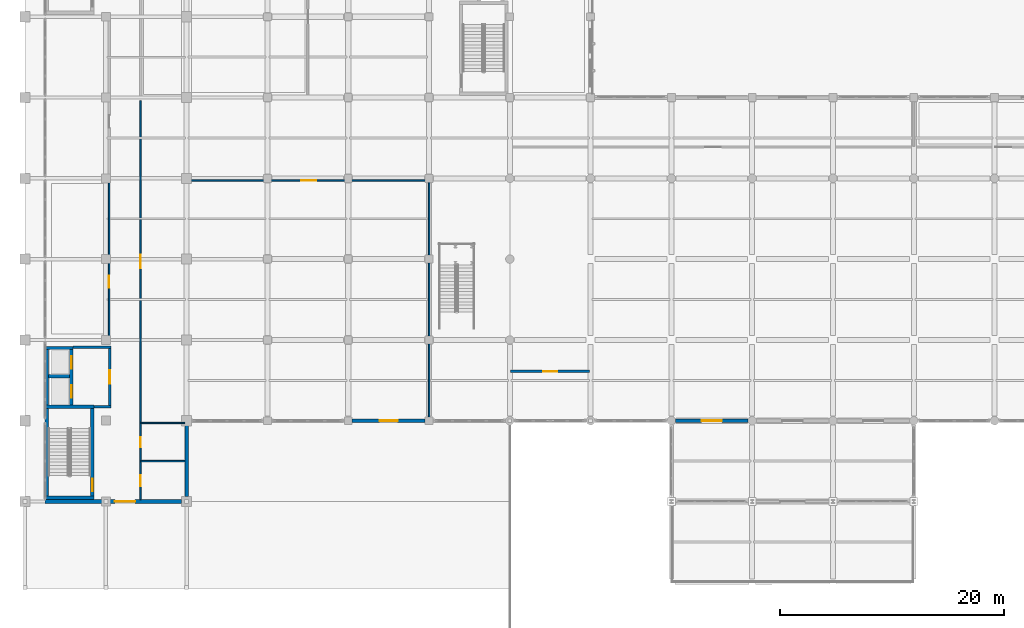
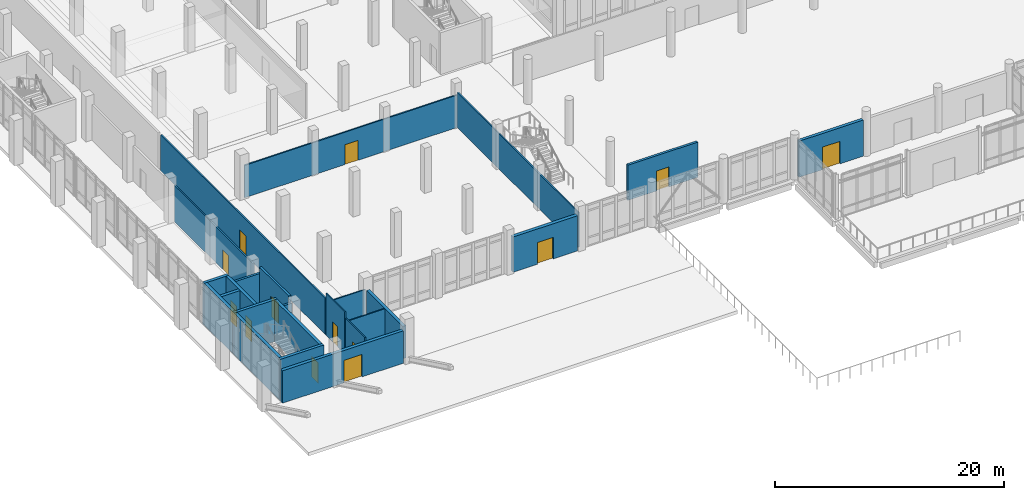
# One storey, part 35 of 59: 24 walls, 13 doors, 13 openings.
"""IFC4 building model written with IfcOpenShell, lengths in metres."""

import ifcopenshell
import ifcopenshell.guid

model = None  # the IFC model being written
_history = None  # IfcOwnerHistory: only IFC2X3 demands one
_inside = {}  # id of a spatial element -> (the spatial element, [elements in it])
_under = {}  # id of a project, library or spatial element -> (it, [spatial elements below it])
_declared = {}  # id of a project -> (the project, [libraries it declares])
_typed = {}  # id of a type object -> (the type object, [elements of that type])
_made_of = {}  # id of a material, layer set ... -> (it, [elements and type objects made of it])


def new_model(schema):
    """Start an empty IFC model of exactly this schema.

    Asked for "IFC4X3", IfcOpenShell would pick the latest addendum, in which some entities
    have other attributes; the version numbers below select the first issue.
    IFC2X3 requires an IfcOwnerHistory on every rooted entity: one is made here for all.
    """
    global model, _history
    if schema == "IFC4X3":
        model = ifcopenshell.file(schema_version=(4, 3, 0, 0))
    else:
        model = ifcopenshell.file(schema=schema)
    _inside.clear()
    _under.clear()
    _declared.clear()
    _typed.clear()
    _made_of.clear()
    _history = None
    if model.schema == "IFC2X3":
        org = make("IfcOrganization", Name="unknown")
        user = make(
            "IfcPersonAndOrganization",
            ThePerson=make("IfcPerson", FamilyName="unknown"),
            TheOrganization=org,
        )
        app = make(
            "IfcApplication",
            ApplicationDeveloper=org,
            Version="unknown",
            ApplicationFullName="unknown",
            ApplicationIdentifier="unknown",
        )
        _history = make(
            "IfcOwnerHistory",
            OwningUser=user,
            OwningApplication=app,
            ChangeAction="ADDED",
            CreationDate=0,
        )
    return model


def make(cls, **values):
    """One entity of the class cls with the attributes given. An attribute that is None is left unset."""
    return model.create_entity(
        cls, **{name: value for name, value in values.items() if value is not None}
    )


def rooted(cls, **values):
    """An entity with a GlobalId (a new one), such as an element, a storey or a relation."""
    return make(cls, GlobalId=ifcopenshell.guid.new(), OwnerHistory=_history, **values)


def si_unit(unit_type, name, prefix=None):
    """IfcSIUnit, for example si_unit("LENGTHUNIT", "METRE", prefix="MILLI")."""
    return make("IfcSIUnit", UnitType=unit_type, Prefix=prefix, Name=name)


def assignment(units):
    """IfcUnitAssignment: the units of a project."""
    return None if units is None else make("IfcUnitAssignment", Units=units)


def point(xyz):
    """IfcCartesianPoint."""
    return None if xyz is None else make("IfcCartesianPoint", Coordinates=xyz)


def direction(xyz):
    """IfcDirection."""
    return None if xyz is None else make("IfcDirection", DirectionRatios=xyz)


def frame(location, z_axis=None, x_axis=None):
    """IfcAxis2Placement3D, a coordinate frame: its origin and axes. An axis left out is left unset."""
    return make(
        "IfcAxis2Placement3D",
        Location=point(location),
        Axis=direction(z_axis),
        RefDirection=direction(x_axis),
    )


def frame_2d(location, x_axis=None):
    """IfcAxis2Placement2D, a coordinate frame in the plane: its origin and x axis."""
    return make(
        "IfcAxis2Placement2D", Location=point(location), RefDirection=direction(x_axis)
    )


def origin():
    """The frame at (0, 0, 0) with its axes left unset."""
    return frame((0.0, 0.0, 0.0))


def place(relative_to, where):
    """IfcLocalPlacement: puts the frame where relative to a parent placement (None: the world)."""
    return make(
        "IfcLocalPlacement", PlacementRelTo=relative_to, RelativePlacement=where
    )


def context(
    kind, dimensions, precision=None, world=None, true_north=None, identifier=None
):
    """IfcGeometricRepresentationContext, for example the 3D "Model" context."""
    return make(
        "IfcGeometricRepresentationContext",
        ContextIdentifier=identifier,
        ContextType=kind,
        CoordinateSpaceDimension=dimensions,
        Precision=precision,
        WorldCoordinateSystem=world,
        TrueNorth=true_north,
    )


def subcontext(parent, identifier, kind, view, scale=None):
    """IfcGeometricRepresentationSubContext, for example "Body" below "Model"."""
    return make(
        "IfcGeometricRepresentationSubContext",
        ContextIdentifier=identifier,
        ContextType=kind,
        ParentContext=parent,
        TargetScale=scale,
        TargetView=view,
    )


def project(units=None, contexts=None):
    """IfcProject with its units and contexts."""
    return rooted(
        "IfcProject",
        Name="project",
        RepresentationContexts=contexts,
        UnitsInContext=assignment(units),
    )


def spatial(cls, under=None, at=None, **own):
    """A site, building, storey or space (cls), placed at a placement, below another one or the project."""
    s = rooted(cls, ObjectPlacement=at, **own)
    if under is not None:
        _under.setdefault(under.id(), (under, []))[1].append(s)
    return s


def profile(cls, at=None, kind="AREA", **sizes):
    """A parametric profile (cls). Its sizes go by their IFC names, for example OverallWidth=200.0."""
    return make(cls, ProfileType=kind, Position=at, **sizes)


def rectangle(**sizes):
    """IfcRectangleProfileDef."""
    return profile("IfcRectangleProfileDef", **sizes)


def extrude(swept, where, along, depth):
    """IfcExtrudedAreaSolid: the profile swept, set in the frame where, extruded along a direction by depth."""
    return make(
        "IfcExtrudedAreaSolid",
        SweptArea=swept,
        Position=where,
        ExtrudedDirection=direction(along),
        Depth=depth,
    )


def shape(context_of_items, identifier, shape_type, items):
    """IfcShapeRepresentation: the items that make up one representation, for example the "Body"."""
    return make(
        "IfcShapeRepresentation",
        ContextOfItems=context_of_items,
        RepresentationIdentifier=identifier,
        RepresentationType=shape_type,
        Items=items,
    )


def material(Name=None, Category=None):
    """IfcMaterial."""
    return make("IfcMaterial", Name=Name, Category=Category)


def layer(
    of_material, thickness, ventilated=None, Name=None, Category=None, Priority=None
):
    """IfcMaterialLayer: one layer of a wall or slab, of a material (None: an air gap)."""
    return make(
        "IfcMaterialLayer",
        Material=of_material,
        LayerThickness=thickness,
        IsVentilated=ventilated,
        Name=Name,
        Category=Category,
        Priority=Priority,
    )


def layer_set(layers, Name=None):
    """IfcMaterialLayerSet."""
    return make("IfcMaterialLayerSet", MaterialLayers=layers, LayerSetName=Name)


def made_of(thing, what):
    """Note that an element or type object is made of a material, layer set ...; save() writes the relation."""
    if what is not None:
        _made_of.setdefault(what.id(), (what, []))[1].append(thing)
    return thing


def type_object(cls, material=None, **own):
    """A type object (cls), such as IfcWallType, which elements share."""
    return made_of(rooted(cls, **own), material)


def element(
    cls,
    number,
    at=None,
    inside=None,
    cuts=None,
    type_object=None,
    material=None,
    context=None,
    identifier="Body",
    shape_type=None,
    held_by="IfcProductDefinitionShape",
    body=None,
    shapes=None,
    **own,
):
    """One element of the class cls, such as IfcWall. Its Tag is "e" and its number.

    at: its placement. inside: the storey or other place that contains it. cuts: it is an
    opening in that element (IfcRelVoidsElement). A single representation is given by context,
    identifier, shape_type and body (its items); several are given by shapes. held_by: the class
    of the entity that holds the representations. save() writes the other relations.
    """
    e = rooted(cls, Tag="e%d" % number, ObjectPlacement=at, **own)
    if body is not None:
        shapes = [shape(context, identifier, shape_type, body)]
    if shapes is not None:
        e.Representation = make(held_by, Representations=shapes)
    if inside is not None:
        _inside.setdefault(inside.id(), (inside, []))[1].append(e)
    if cuts is not None:
        rooted(
            "IfcRelVoidsElement", RelatingBuildingElement=cuts, RelatedOpeningElement=e
        )
    if type_object is not None:
        _typed.setdefault(type_object.id(), (type_object, []))[1].append(e)
    return made_of(e, material)


def fill(opening, filler):
    """IfcRelFillsElement: the door or window that sits in an opening."""
    return rooted(
        "IfcRelFillsElement",
        RelatingOpeningElement=opening,
        RelatedBuildingElement=filler,
    )


def aggregate(whole, parts):
    """IfcRelAggregates: a whole, such as a stair, and the parts it consists of."""
    return rooted("IfcRelAggregates", RelatingObject=whole, RelatedObjects=parts)


def save(model, path):
    """Write the relations noted so far, then the file.

    IfcRelAggregates (storeys below a building ...), IfcRelContainedInSpatialStructure (elements
    in a storey), IfcRelDefinesByType, IfcRelAssociatesMaterial and IfcRelDeclares: one each for
    every whole, place, type object, material and project.
    """
    for whole, parts in _under.values():
        aggregate(whole, parts)
    for where, things in _inside.values():
        rooted(
            "IfcRelContainedInSpatialStructure",
            RelatedElements=things,
            RelatingStructure=where,
        )
    for kind, things in _typed.values():
        rooted("IfcRelDefinesByType", RelatedObjects=things, RelatingType=kind)
    for what, things in _made_of.values():
        rooted("IfcRelAssociatesMaterial", RelatedObjects=things, RelatingMaterial=what)
    for by, libraries in _declared.values():
        rooted("IfcRelDeclares", RelatingContext=by, RelatedDefinitions=libraries)
    model.write(path)


model = new_model("IFC4")

# Units and contexts
model_context = context("Model", 3, precision=1e-05, world=origin(), true_north=direction((0.0, 1.0)))
body_context = subcontext(model_context, "Body", "Model", "MODEL_VIEW")
ifc_project = project(units=[si_unit("LENGTHUNIT", "METRE"), si_unit("AREAUNIT", "SQUARE_METRE"), si_unit("VOLUMEUNIT", "CUBIC_METRE"), si_unit("PLANEANGLEUNIT", "RADIAN"), si_unit("MASSUNIT", "GRAM", prefix="KILO")], contexts=[model_context])

# Site, building, storey
site_placement = place(None, origin())
site = spatial("IfcSite", under=ifc_project, at=site_placement, CompositionType="ELEMENT")
building_placement = place(site_placement, origin())
building = spatial("IfcBuilding", under=site, at=building_placement, Name="Valkovuoma Quantum and Materials Research Institute", CompositionType="ELEMENT")
storey_placement = place(building_placement, origin())
storey = spatial("IfcBuildingStorey", under=building, at=storey_placement, Name="L00", CompositionType="ELEMENT", Elevation=0.0)

# Walls
ifc_material_1 = material(Name="Concrete C40/50", Category="concrete")
ifc_layer_1 = layer(ifc_material_1, 0.300048828125)
ifc_layer_set_1 = layer_set([ifc_layer_1], Name="Concrete C40/50")
wall_type_1 = type_object("IfcWallType", Name="Wall-W-COR300", PredefinedType="SHEAR", material=ifc_layer_set_1)
for number, where, z_axis, x_axis, name in (
    (1, (1.800048828125, 29.14990234375, 0.0), (0.0, 0.0, 1.0), (1.0, 0.0, 0.0), "L00 core wall 0012"),
    (2, (1.800048828125, 37.25, 0.0), (0.0, 0.0, 1.0), (1.0, 0.0, 0.0), "L00 core wall 0013"),
):
    element("IfcWall", number, at=place(storey_placement, frame(where, z_axis=z_axis, x_axis=x_axis)), inside=storey, type_object=wall_type_1, Name=name, PredefinedType="SHEAR", context=body_context, shape_type="SweptSolid", body=[
        extrude(rectangle(XDim=4.349853515625, YDim=0.300048828125, at=frame_2d((2.1748046875, 0.0))), origin(), (0.0, 0.0, 1.0), 4.449951171875),
    ])
wall_1_placement = place(storey_placement, frame((1.949951171875, 29.300048828125, 0.0), z_axis=(0.0, 0.0, 1.0), x_axis=(0.0, 1.0, 0.0)))
element("IfcWall", 3, at=wall_1_placement, inside=storey, type_object=wall_type_1, Name="L00 core wall 0014", PredefinedType="SHEAR", context=body_context, shape_type="SweptSolid", body=[
    extrude(rectangle(XDim=7.800048828125, YDim=0.300048828125, at=frame_2d((3.89990234375, 0.0))), origin(), (0.0, 0.0, 1.0), 4.449951171875),
])

# Wall, opening, door
wall_2_placement = place(storey_placement, frame((6.0, 29.300048828125, 0.0), z_axis=(0.0, 0.0, 1.0), x_axis=(0.0, 1.0, 0.0)))
wall_2 = element("IfcWall", 4, at=wall_2_placement, inside=storey, type_object=wall_type_1, Name="L00 core wall 0015", PredefinedType="SHEAR", context=body_context, shape_type="SweptSolid", body=[
    extrude(rectangle(XDim=7.800048828125, YDim=0.300048828125, at=frame_2d((3.89990234375, 0.0))), origin(), (0.0, 0.0, 1.0), 4.449951171875),
])
opening_1_placement = place(wall_2_placement, frame((0.39990234375, 0.0, 0.0)))
opening_1 = element("IfcOpeningElement", 5, at=opening_1_placement, cuts=wall_2, Name="Opening SD-003", PredefinedType="OPENING", context=body_context, shape_type="SweptSolid", body=[
    extrude(rectangle(XDim=1.14990234375, YDim=2.199951171875, at=frame_2d((0.574951171875, 1.10009765625))), frame((0.0, 0.16015625, 0.0), z_axis=(0.0, -1.0, 0.0), x_axis=(1.0, 0.0, 0.0)), (0.0, 0.0, 1.0), 0.320068359375),
])
ifc_material_2 = material(Name="Powder-coated steel and acoustic timber door assembly", Category="steel")
door_type_1 = type_object("IfcDoorType", Name="Door-DR-ST60", OperationType="NOTDEFINED", PredefinedType="DOOR", material=ifc_material_2)
door_1_placement = place(opening_1_placement, origin())
door_1 = element("IfcDoor", 6, at=door_1_placement, inside=storey, type_object=door_type_1, Name="L00 ST-1 fire door", OperationType="SINGLE_SWING_RIGHT", OverallHeight=2.199951171875, OverallWidth=1.14990234375, PredefinedType="DOOR", context=body_context, shape_type="SweptSolid", body=[
    extrude(rectangle(XDim=1.14990234375, YDim=2.199951171875, at=frame_2d((0.574951171875, 1.10009765625))), frame((0.0, 0.02490234375, 0.0), z_axis=(0.0, -1.0, 0.0), x_axis=(1.0, 0.0, 0.0)), (0.0, 0.0, 1.0), 0.050048828125),
])
fill(opening_1, door_1)

# Walls
wall_3_placement = place(storey_placement, frame((1.800048828125, 42.47998046875, 0.0), z_axis=(0.0, 0.0, 1.0), x_axis=(1.0, 0.0, 0.0)))
element("IfcWall", 7, at=wall_3_placement, inside=storey, type_object=wall_type_1, Name="L00 core wall 0016", PredefinedType="SHEAR", context=body_context, shape_type="SweptSolid", body=[
    extrude(rectangle(XDim=2.47998046875, YDim=0.300048828125, at=frame_2d((1.239990234375, 0.0))), origin(), (0.0, 0.0, 1.0), 4.449951171875),
])
wall_4_placement = place(storey_placement, frame((2.10009765625, 39.97509765625, 0.0), z_axis=(0.0, 0.0, 1.0), x_axis=(1.0, 0.0, 0.0)))
element("IfcWall", 8, at=wall_4_placement, inside=storey, type_object=wall_type_1, Name="L00 core wall 0017", PredefinedType="SHEAR", context=body_context, shape_type="SweptSolid", body=[
    extrude(rectangle(XDim=1.8798828125, YDim=0.300048828125, at=frame_2d((0.93994140625, 0.0))), origin(), (0.0, 0.0, 1.0), 4.449951171875),
])
wall_5_placement = place(storey_placement, frame((1.949951171875, 37.39990234375, 0.0), z_axis=(0.0, 0.0, 1.0), x_axis=(0.0, 1.0, 0.0)))
element("IfcWall", 9, at=wall_5_placement, inside=storey, type_object=wall_type_1, Name="L00 core wall 0018", PredefinedType="SHEAR", context=body_context, shape_type="SweptSolid", body=[
    extrude(rectangle(XDim=4.93017578125, YDim=0.300048828125, at=frame_2d((2.465087890625, 0.0))), origin(), (0.0, 0.0, 1.0), 4.449951171875),
])

# Wall, openings, doors
wall_6_placement = place(storey_placement, frame((4.1298828125, 37.39990234375, 0.0), z_axis=(0.0, 0.0, 1.0), x_axis=(0.0, 1.0, 0.0)))
wall_6 = element("IfcWall", 10, at=wall_6_placement, inside=storey, type_object=wall_type_1, Name="L00 core wall 0019", PredefinedType="SHEAR", context=body_context, shape_type="SweptSolid", body=[
    extrude(rectangle(XDim=4.93017578125, YDim=0.300048828125, at=frame_2d((2.465087890625, 0.0))), origin(), (0.0, 0.0, 1.0), 4.449951171875),
])
opening_2_placement = place(wall_6_placement, frame((0.64990234375, 0.0, 0.0)))
opening_2 = element("IfcOpeningElement", 11, at=opening_2_placement, cuts=wall_6, Name="Opening LD-003", PredefinedType="OPENING", context=body_context, shape_type="SweptSolid", body=[
    extrude(rectangle(XDim=1.10009765625, YDim=2.199951171875, at=frame_2d((0.550048828125, 1.10009765625))), frame((0.0, 0.16015625, 0.0), z_axis=(0.0, -1.0, 0.0), x_axis=(1.0, 0.0, 0.0)), (0.0, 0.0, 1.0), 0.320068359375),
])
opening_3_placement = place(wall_6_placement, frame((3.25, 0.0, 0.0)))
opening_3 = element("IfcOpeningElement", 12, at=opening_3_placement, cuts=wall_6, Name="Opening LD-004", PredefinedType="OPENING", context=body_context, shape_type="SweptSolid", body=[
    extrude(rectangle(XDim=1.10009765625, YDim=2.199951171875, at=frame_2d((0.550048828125, 1.10009765625))), frame((0.0, 0.16015625, 0.0), z_axis=(0.0, -1.0, 0.0), x_axis=(1.0, 0.0, 0.0)), (0.0, 0.0, 1.0), 0.320068359375),
])
ifc_material_3 = material(Name="Powder-coated steel and acoustic timber door assembly", Category="steel")
door_type_2 = type_object("IfcDoorType", Name="Door-DR-LD01", OperationType="NOTDEFINED", PredefinedType="DOOR", material=ifc_material_3)
door_2_placement = place(opening_2_placement, origin())
door_2 = element("IfcDoor", 13, at=door_2_placement, inside=storey, type_object=door_type_2, Name="L00 LIFT-FF1 sliding landing door", OperationType="SLIDING_TO_LEFT", OverallHeight=2.199951171875, OverallWidth=1.10009765625, PredefinedType="DOOR", context=body_context, shape_type="SweptSolid", body=[
    extrude(rectangle(XDim=1.10009765625, YDim=2.199951171875, at=frame_2d((0.550048828125, 1.10009765625))), frame((0.0, 0.02490234375, 0.0), z_axis=(0.0, -1.0, 0.0), x_axis=(1.0, 0.0, 0.0)), (0.0, 0.0, 1.0), 0.050048828125),
])
fill(opening_2, door_2)
door_3_placement = place(opening_3_placement, origin())
door_3 = element("IfcDoor", 14, at=door_3_placement, inside=storey, type_object=door_type_2, Name="L00 LIFT-P1 sliding landing door", OperationType="SLIDING_TO_LEFT", OverallHeight=2.199951171875, OverallWidth=1.10009765625, PredefinedType="DOOR", context=body_context, shape_type="SweptSolid", body=[
    extrude(rectangle(XDim=1.10009765625, YDim=2.199951171875, at=frame_2d((0.550048828125, 1.10009765625))), frame((0.0, 0.02490234375, 0.0), z_axis=(0.0, -1.0, 0.0), x_axis=(1.0, 0.0, 0.0)), (0.0, 0.0, 1.0), 0.050048828125),
])
fill(opening_3, door_3)

# Wall, opening, door
ifc_material_4 = material(Name="Precast concrete C40/50", Category="concrete")
ifc_layer_2 = layer(ifc_material_4, 0.300048828125)
ifc_layer_set_2 = layer_set([ifc_layer_2], Name="Precast concrete C40/50")
wall_type_2 = type_object("IfcWallType", Name="Wall-W-EXT300", PredefinedType="SOLIDWALL", material=ifc_layer_set_2)
wall_7_placement = place(storey_placement, frame((57.965087890625, 36.0, 0.0), z_axis=(0.0, 0.0, 1.0), x_axis=(1.0, 0.0, 0.0)))
wall_7 = element("IfcWall", 15, at=wall_7_placement, inside=storey, type_object=wall_type_2, Name="L00 exterior wall 0075", PredefinedType="SOLIDWALL", context=body_context, shape_type="SweptSolid", body=[
    extrude(rectangle(XDim=6.469970703125, YDim=0.300048828125, at=frame_2d((3.23486328125, 0.0))), origin(), (0.0, 0.0, 1.0), 3.85009765625),
])
opening_4_placement = place(wall_7_placement, frame((2.3349609375, 0.0, 0.0)))
opening_4 = element("IfcOpeningElement", 16, at=opening_4_placement, cuts=wall_7, Name="Opening ED-010", PredefinedType="OPENING", context=body_context, shape_type="SweptSolid", body=[
    extrude(rectangle(XDim=1.800048828125, YDim=2.39990234375, at=frame_2d((0.89990234375, 1.199951171875))), frame((0.0, 0.16015625, 0.0), z_axis=(0.0, -1.0, 0.0), x_axis=(1.0, 0.0, 0.0)), (0.0, 0.0, 1.0), 0.320068359375),
])
ifc_material_5 = material(Name="Thermally broken insulated aluminium and steel door", Category="steel")
door_type_3 = type_object("IfcDoorType", Name="Door-DR-EX02", OperationType="NOTDEFINED", PredefinedType="DOOR", material=ifc_material_5)
door_4_placement = place(opening_4_placement, frame((1.800048828125, 0.0, 0.0), z_axis=(0.0, 0.0, 1.0), x_axis=(-1.0, 0.0, 0.0)))
door_4 = element("IfcDoor", 17, at=door_4_placement, inside=storey, type_object=door_type_3, Name="L00 exterior door 010", OperationType="DOUBLE_DOOR_SINGLE_SWING", OverallHeight=2.39990234375, OverallWidth=1.800048828125, PredefinedType="DOOR", context=body_context, shape_type="SweptSolid", body=[
    extrude(rectangle(XDim=1.800048828125, YDim=2.39990234375, at=frame_2d((0.89990234375, 1.199951171875))), frame((0.0, 0.02490234375, 0.0), z_axis=(0.0, -1.0, 0.0), x_axis=(1.0, 0.0, 0.0)), (0.0, 0.0, 1.0), 0.050048828125),
])
fill(opening_4, door_4)

ifc_material_6 = material(Name="Precast concrete C40/50", Category="concrete")
ifc_layer_3 = layer(ifc_material_6, 0.320068359375)
ifc_layer_set_3 = layer_set([ifc_layer_3], Name="Precast concrete C40/50")
wall_type_3 = type_object("IfcWallType", Name="Wall-W-EXT320", PredefinedType="SOLIDWALL", material=ifc_layer_set_3)
wall_8_placement = place(storey_placement, frame((1.800048828125, 28.800048828125, 0.0), z_axis=(0.0, 0.0, 1.0), x_axis=(1.0, 0.0, 0.0)))
wall_8 = element("IfcWall", 18, at=wall_8_placement, inside=storey, type_object=wall_type_3, Name="L00 exterior wall 0029", PredefinedType="SOLIDWALL", context=body_context, shape_type="SweptSolid", body=[
    extrude(rectangle(XDim=12.159912109375, YDim=0.320068359375, at=frame_2d((6.080078125, 0.0))), origin(), (0.0, 0.0, 1.0), 3.449951171875),
])
opening_5_placement = place(wall_8_placement, frame((6.199951171875, 0.0, 0.0)))
opening_5 = element("IfcOpeningElement", 19, at=opening_5_placement, cuts=wall_8, Name="Opening ED-004", PredefinedType="OPENING", context=body_context, shape_type="SweptSolid", body=[
    extrude(rectangle(XDim=1.800048828125, YDim=2.39990234375, at=frame_2d((0.89990234375, 1.199951171875))), frame((0.0, 0.169921875, 0.0), z_axis=(0.0, -1.0, 0.0), x_axis=(1.0, 0.0, 0.0)), (0.0, 0.0, 1.0), 0.340087890625),
])
door_5_placement = place(opening_5_placement, frame((1.800048828125, 0.0, 0.0), z_axis=(0.0, 0.0, 1.0), x_axis=(-1.0, 0.0, 0.0)))
door_5 = element("IfcDoor", 20, at=door_5_placement, inside=storey, type_object=door_type_3, Name="L00 exterior door 004", OperationType="DOUBLE_DOOR_SINGLE_SWING", OverallHeight=2.39990234375, OverallWidth=1.800048828125, PredefinedType="DOOR", context=body_context, shape_type="SweptSolid", body=[
    extrude(rectangle(XDim=1.800048828125, YDim=2.39990234375, at=frame_2d((0.89990234375, 1.199951171875))), frame((0.0, 0.02490234375, 0.0), z_axis=(0.0, -1.0, 0.0), x_axis=(1.0, 0.0, 0.0)), (0.0, 0.0, 1.0), 0.050048828125),
])
fill(opening_5, door_5)

# Wall
wall_9_placement = place(storey_placement, frame((14.39990234375, 29.239990234375, 0.0), z_axis=(0.0, 0.0, 1.0), x_axis=(0.0, 1.0, 0.0)))
element("IfcWall", 21, at=wall_9_placement, inside=storey, type_object=wall_type_3, Name="L00 exterior wall 0030", PredefinedType="SOLIDWALL", context=body_context, shape_type="SweptSolid", body=[
    extrude(rectangle(XDim=6.320068359375, YDim=0.320068359375, at=frame_2d((3.16015625, 0.0))), origin(), (0.0, 0.0, 1.0), 3.449951171875),
])

# Wall, opening, door
ifc_material_7 = material(Name="Precast concrete C40/50", Category="concrete")
ifc_layer_4 = layer(ifc_material_7, 0.340087890625)
ifc_layer_set_4 = layer_set([ifc_layer_4], Name="Precast concrete C40/50")
wall_type_4 = type_object("IfcWallType", Name="Wall-W-EXT340", PredefinedType="SOLIDWALL", material=ifc_layer_set_4)
wall_10_placement = place(storey_placement, frame((29.139892578125, 36.0, 0.0), z_axis=(0.0, 0.0, 1.0), x_axis=(1.0, 0.0, 0.0)))
wall_10 = element("IfcWall", 22, at=wall_10_placement, inside=storey, type_object=wall_type_4, Name="L00 exterior wall 0074", PredefinedType="SOLIDWALL", context=body_context, shape_type="SweptSolid", body=[
    extrude(rectangle(XDim=6.52001953125, YDim=0.340087890625, at=frame_2d((3.260009765625, 0.0))), origin(), (0.0, 0.0, 1.0), 3.75),
])
opening_6_placement = place(wall_10_placement, frame((2.4599609375, 0.0, 0.0)))
opening_6 = element("IfcOpeningElement", 23, at=opening_6_placement, cuts=wall_10, Name="Opening ED-009", PredefinedType="OPENING", context=body_context, shape_type="SweptSolid", body=[
    extrude(rectangle(XDim=1.60009765625, YDim=2.300048828125, at=frame_2d((0.800048828125, 1.14990234375))), frame((0.0, 0.18017578125, 0.0), z_axis=(0.0, -1.0, 0.0), x_axis=(1.0, 0.0, 0.0)), (0.0, 0.0, 1.0), 0.360107421875),
])
ifc_material_8 = material(Name="Thermally broken insulated aluminium and steel door", Category="steel")
door_type_4 = type_object("IfcDoorType", Name="Door-DR-EX03", OperationType="NOTDEFINED", PredefinedType="DOOR", material=ifc_material_8)
door_6_placement = place(opening_6_placement, frame((1.60009765625, 0.0, 0.0), z_axis=(0.0, 0.0, 1.0), x_axis=(-1.0, 0.0, 0.0)))
door_6 = element("IfcDoor", 24, at=door_6_placement, inside=storey, type_object=door_type_4, Name="L00 exterior door 009", OperationType="DOUBLE_DOOR_SINGLE_SWING", OverallHeight=2.300048828125, OverallWidth=1.60009765625, PredefinedType="DOOR", context=body_context, shape_type="SweptSolid", body=[
    extrude(rectangle(XDim=1.60009765625, YDim=2.300048828125, at=frame_2d((0.800048828125, 1.14990234375))), frame((0.0, 0.02490234375, 0.0), z_axis=(0.0, -1.0, 0.0), x_axis=(1.0, 0.0, 0.0)), (0.0, 0.0, 1.0), 0.050048828125),
])
fill(opening_6, door_6)

# Walls
ifc_material_9 = material(Name="Concrete C40/50", Category="concrete")
ifc_layer_5 = layer(ifc_material_9, 0.219970703125)
ifc_layer_set_5 = layer_set([ifc_layer_5], Name="Concrete C40/50")
wall_type_5 = type_object("IfcWallType", Name="Wall-W-FFL220", PredefinedType="SOLIDWALL", material=ifc_layer_set_5)
wall_11_placement = place(storey_placement, frame((6.14990234375, 37.25, 0.0), z_axis=(0.0, 0.0, 1.0), x_axis=(1.0, 0.0, 0.0)))
element("IfcWall", 25, at=wall_11_placement, inside=storey, type_object=wall_type_5, Name="L00 core wall 0020", PredefinedType="SOLIDWALL", context=body_context, shape_type="SweptSolid", body=[
    extrude(rectangle(XDim=1.510009765625, YDim=0.219970703125, at=frame_2d((0.7548828125, 0.0))), origin(), (0.0, 0.0, 1.0), 3.449951171875),
])
wall_12_placement = place(storey_placement, frame((4.280029296875, 42.550048828125, 0.0), z_axis=(0.0, 0.0, 1.0), x_axis=(1.0, 0.0, 0.0)))
element("IfcWall", 26, at=wall_12_placement, inside=storey, type_object=wall_type_5, Name="L00 core wall 0021", PredefinedType="SOLIDWALL", context=body_context, shape_type="SweptSolid", body=[
    extrude(rectangle(XDim=3.3798828125, YDim=0.219970703125, at=frame_2d((1.68994140625, 0.0))), origin(), (0.0, 0.0, 1.0), 3.449951171875),
])

# Wall, opening, door
wall_13_placement = place(storey_placement, frame((7.550048828125, 37.360107421875, 0.0), z_axis=(0.0, 0.0, 1.0), x_axis=(0.0, 1.0, 0.0)))
wall_13 = element("IfcWall", 27, at=wall_13_placement, inside=storey, type_object=wall_type_5, Name="L00 core wall 0022", PredefinedType="SOLIDWALL", context=body_context, shape_type="SweptSolid", body=[
    extrude(rectangle(XDim=5.079833984375, YDim=0.219970703125, at=frame_2d((2.5400390625, 0.0))), origin(), (0.0, 0.0, 1.0), 4.14990234375),
])
opening_7_placement = place(wall_13_placement, frame((1.93994140625, 0.0, 0.0)))
opening_7 = element("IfcOpeningElement", 28, at=opening_7_placement, cuts=wall_13, Name="Opening FD-004", PredefinedType="OPENING", context=body_context, shape_type="SweptSolid", body=[
    extrude(rectangle(XDim=1.199951171875, YDim=2.199951171875, at=frame_2d((0.60009765625, 1.10009765625))), frame((0.0, 0.1201171875, 0.0), z_axis=(0.0, -1.0, 0.0), x_axis=(1.0, 0.0, 0.0)), (0.0, 0.0, 1.0), 0.239990234375),
])
ifc_material_10 = material(Name="Powder-coated steel and acoustic timber door assembly", Category="steel")
door_type_5 = type_object("IfcDoorType", Name="Door-DR-FF60", OperationType="NOTDEFINED", PredefinedType="DOOR", material=ifc_material_10)
door_7_placement = place(opening_7_placement, origin())
door_7 = element("IfcDoor", 29, at=door_7_placement, inside=storey, type_object=door_type_5, Name="L00 firefighting lobby door", OperationType="SINGLE_SWING_LEFT", OverallHeight=2.199951171875, OverallWidth=1.199951171875, PredefinedType="DOOR", context=body_context, shape_type="SweptSolid", body=[
    extrude(rectangle(XDim=1.199951171875, YDim=2.199951171875, at=frame_2d((0.60009765625, 1.10009765625))), frame((0.0, 0.02490234375, 0.0), z_axis=(0.0, -1.0, 0.0), x_axis=(1.0, 0.0, 0.0)), (0.0, 0.0, 1.0), 0.050048828125),
])
fill(opening_7, door_7)

# Wall
ifc_material_11 = material(Name="Service and WC partition", Category="masonry")
ifc_layer_6 = layer(ifc_material_11, 0.1201171875)
ifc_layer_set_6 = layer_set([ifc_layer_6], Name="Service and WC partition")
wall_type_6 = type_object("IfcWallType", Name="Wall-W-PRT120", PredefinedType="PARTITIONING", material=ifc_layer_set_6)
wall_14_placement = place(storey_placement, frame((10.239990234375, 32.39990234375, 0.0), z_axis=(0.0, 0.0, 1.0), x_axis=(1.0, 0.0, 0.0)))
element("IfcWall", 30, at=wall_14_placement, inside=storey, type_object=wall_type_6, Name="L00 partition 0023", PredefinedType="PARTITIONING", context=body_context, shape_type="SweptSolid", body=[
    extrude(rectangle(XDim=4.0, YDim=0.1201171875, at=frame_2d((2.0, 0.0))), origin(), (0.0, 0.0, 1.0), 3.449951171875),
])

# Wall, opening, door
wall_15_placement = place(storey_placement, frame((10.300048828125, 28.9599609375, 0.0), z_axis=(0.0, 0.0, 1.0), x_axis=(0.0, 1.0, 0.0)))
wall_15 = element("IfcWall", 31, at=wall_15_placement, inside=storey, type_object=wall_type_6, Name="L00 partition 0024", PredefinedType="PARTITIONING", context=body_context, shape_type="SweptSolid", body=[
    extrude(rectangle(XDim=3.380126953125, YDim=0.1201171875, at=frame_2d((1.68994140625, 0.0))), origin(), (0.0, 0.0, 1.0), 3.85009765625),
])
opening_8_placement = place(wall_15_placement, frame((1.219970703125, 0.0, 0.0)))
opening_8 = element("IfcOpeningElement", 32, at=opening_8_placement, cuts=wall_15, Name="Opening ID-0017", PredefinedType="OPENING", context=body_context, shape_type="SweptSolid", body=[
    extrude(rectangle(XDim=0.93994140625, YDim=2.10009765625, at=frame_2d((0.469970703125, 1.050048828125))), frame((0.0, 0.070068359375, 0.0), z_axis=(0.0, -1.0, 0.0), x_axis=(1.0, 0.0, 0.0)), (0.0, 0.0, 1.0), 0.14013671875),
])
ifc_material_12 = material(Name="Powder-coated steel and acoustic timber door assembly", Category="steel")
door_type_6 = type_object("IfcDoorType", Name="Door-DR-WC01", OperationType="NOTDEFINED", PredefinedType="DOOR", material=ifc_material_12)
door_8_placement = place(opening_8_placement, origin())
door_8 = element("IfcDoor", 33, at=door_8_placement, inside=storey, type_object=door_type_6, Name="L00 room door 0017", OperationType="SINGLE_SWING_RIGHT", OverallHeight=2.10009765625, OverallWidth=0.93994140625, PredefinedType="DOOR", context=body_context, shape_type="SweptSolid", body=[
    extrude(rectangle(XDim=0.93994140625, YDim=2.10009765625, at=frame_2d((0.469970703125, 1.050048828125))), frame((0.0, 0.02490234375, 0.0), z_axis=(0.0, -1.0, 0.0), x_axis=(1.0, 0.0, 0.0)), (0.0, 0.0, 1.0), 0.050048828125),
])
fill(opening_8, door_8)

# Wall
wall_16_placement = place(storey_placement, frame((10.239990234375, 35.800048828125, 0.0), z_axis=(0.0, 0.0, 1.0), x_axis=(1.0, 0.0, 0.0)))
element("IfcWall", 34, at=wall_16_placement, inside=storey, type_object=wall_type_6, Name="L00 partition 0025", PredefinedType="PARTITIONING", context=body_context, shape_type="SweptSolid", body=[
    extrude(rectangle(XDim=4.0, YDim=0.1201171875, at=frame_2d((2.0, 0.0))), origin(), (0.0, 0.0, 1.0), 3.449951171875),
])

# Wall, opening, door
wall_17_placement = place(storey_placement, frame((10.300048828125, 32.4599609375, 0.0), z_axis=(0.0, 0.0, 1.0), x_axis=(0.0, 1.0, 0.0)))
wall_17 = element("IfcWall", 35, at=wall_17_placement, inside=storey, type_object=wall_type_6, Name="L00 partition 0026", PredefinedType="PARTITIONING", context=body_context, shape_type="SweptSolid", body=[
    extrude(rectangle(XDim=3.280029296875, YDim=0.1201171875, at=frame_2d((1.64013671875, 0.0))), origin(), (0.0, 0.0, 1.0), 4.449951171875),
])
opening_9_placement = place(wall_17_placement, frame((1.18994140625, 0.0, 0.0)))
opening_9 = element("IfcOpeningElement", 36, at=opening_9_placement, cuts=wall_17, Name="Opening ID-0018", PredefinedType="OPENING", context=body_context, shape_type="SweptSolid", body=[
    extrude(rectangle(XDim=0.89990234375, YDim=2.10009765625, at=frame_2d((0.449951171875, 1.050048828125))), frame((0.0, 0.070068359375, 0.0), z_axis=(0.0, -1.0, 0.0), x_axis=(1.0, 0.0, 0.0)), (0.0, 0.0, 1.0), 0.14013671875),
])
ifc_material_13 = material(Name="Powder-coated steel and acoustic timber door assembly", Category="steel")
door_type_7 = type_object("IfcDoorType", Name="Door-DR-WC02", OperationType="NOTDEFINED", PredefinedType="DOOR", material=ifc_material_13)
door_9_placement = place(opening_9_placement, origin())
door_9 = element("IfcDoor", 37, at=door_9_placement, inside=storey, type_object=door_type_7, Name="L00 room door 0018", OperationType="SINGLE_SWING_LEFT", OverallHeight=2.10009765625, OverallWidth=0.89990234375, PredefinedType="DOOR", context=body_context, shape_type="SweptSolid", body=[
    extrude(rectangle(XDim=0.89990234375, YDim=2.10009765625, at=frame_2d((0.449951171875, 1.050048828125))), frame((0.0, 0.02490234375, 0.0), z_axis=(0.0, -1.0, 0.0), x_axis=(1.0, 0.0, 0.0)), (0.0, 0.0, 1.0), 0.050048828125),
])
fill(opening_9, door_9)

ifc_material_14 = material(Name="Interior office stud partition", Category="masonry")
ifc_layer_7 = layer(ifc_material_14, 0.135009765625)
ifc_layer_set_7 = layer_set([ifc_layer_7], Name="Interior office stud partition")
wall_type_7 = type_object("IfcWallType", Name="Wall-W-PRT135", PredefinedType="PARTITIONING", material=ifc_layer_set_7)
wall_18_placement = place(storey_placement, frame((7.5, 43.5673828125, 0.0), z_axis=(0.0, 0.0, 1.0), x_axis=(0.0, 1.0, 0.0)))
wall_18 = element("IfcWall", 38, at=wall_18_placement, inside=storey, type_object=wall_type_7, Name="L00 partition 0027", PredefinedType="PARTITIONING", context=body_context, shape_type="SweptSolid", body=[
    extrude(rectangle(XDim=13.76513671875, YDim=0.135009765625, at=frame_2d((6.882568359375, 0.0))), origin(), (0.0, 0.0, 1.0), 3.85009765625),
])
opening_10_placement = place(wall_18_placement, frame((4.302734375, 0.0, 0.0)))
opening_10 = element("IfcOpeningElement", 39, at=opening_10_placement, cuts=wall_18, Name="Opening ID-0019", PredefinedType="OPENING", context=body_context, shape_type="SweptSolid", body=[
    extrude(rectangle(XDim=1.030029296875, YDim=2.080078125, at=frame_2d((0.51513671875, 1.0400390625))), frame((0.0, 0.07763671875, 0.0), z_axis=(0.0, -1.0, 0.0), x_axis=(1.0, 0.0, 0.0)), (0.0, 0.0, 1.0), 0.155029296875),
])
ifc_material_15 = material(Name="Powder-coated steel and acoustic timber door assembly", Category="steel")
door_type_8 = type_object("IfcDoorType", Name="Door-DR-RM03", OperationType="NOTDEFINED", PredefinedType="DOOR", material=ifc_material_15)
door_10_placement = place(opening_10_placement, origin())
door_10 = element("IfcDoor", 40, at=door_10_placement, inside=storey, type_object=door_type_8, Name="L00 room door 0019", OperationType="SINGLE_SWING_RIGHT", OverallHeight=2.080078125, OverallWidth=1.030029296875, PredefinedType="DOOR", context=body_context, shape_type="SweptSolid", body=[
    extrude(rectangle(XDim=1.030029296875, YDim=2.080078125, at=frame_2d((0.51513671875, 1.0400390625))), frame((0.0, 0.02490234375, 0.0), z_axis=(0.0, -1.0, 0.0), x_axis=(1.0, 0.0, 0.0)), (0.0, 0.0, 1.0), 0.050048828125),
])
fill(opening_10, door_10)

wall_19_placement = place(storey_placement, frame((10.300048828125, 35.860107421875, 0.0), z_axis=(0.0, 0.0, 1.0), x_axis=(0.0, 1.0, 0.0)))
wall_19 = element("IfcWall", 41, at=wall_19_placement, inside=storey, type_object=wall_type_7, Name="L00 partition 0030", PredefinedType="PARTITIONING", context=body_context, shape_type="SweptSolid", body=[
    extrude(rectangle(XDim=28.67236328125, YDim=0.135009765625, at=frame_2d((14.336181640625, 0.0))), origin(), (0.0, 0.0, 1.0), 3.85009765625),
])
opening_11_placement = place(wall_19_placement, frame((13.74609375, 0.0, 0.0)))
opening_11 = element("IfcOpeningElement", 42, at=opening_11_placement, cuts=wall_19, Name="Opening ID-0022", PredefinedType="OPENING", context=body_context, shape_type="SweptSolid", body=[
    extrude(rectangle(XDim=1.179931640625, YDim=2.080078125, at=frame_2d((0.58984375, 1.0400390625))), frame((0.0, 0.07763671875, 0.0), z_axis=(0.0, -1.0, 0.0), x_axis=(1.0, 0.0, 0.0)), (0.0, 0.0, 1.0), 0.155029296875),
])
ifc_material_16 = material(Name="Powder-coated steel and acoustic timber door assembly", Category="steel")
door_type_9 = type_object("IfcDoorType", Name="Door-DR-RM06", OperationType="NOTDEFINED", PredefinedType="DOOR", material=ifc_material_16)
door_11_placement = place(opening_11_placement, origin())
door_11 = element("IfcDoor", 43, at=door_11_placement, inside=storey, type_object=door_type_9, Name="L00 room door 0022", OperationType="SINGLE_SWING_LEFT", OverallHeight=2.080078125, OverallWidth=1.179931640625, PredefinedType="DOOR", context=body_context, shape_type="SweptSolid", body=[
    extrude(rectangle(XDim=1.179931640625, YDim=2.080078125, at=frame_2d((0.58984375, 1.0400390625))), frame((0.0, 0.02490234375, 0.0), z_axis=(0.0, -1.0, 0.0), x_axis=(1.0, 0.0, 0.0)), (0.0, 0.0, 1.0), 0.050048828125),
])
fill(opening_11, door_11)

wall_20_placement = place(storey_placement, frame((14.532470703125, 57.39990234375, 0.0), z_axis=(0.0, 0.0, 1.0), x_axis=(1.0, 0.0, 0.0)))
wall_20 = element("IfcWall", 44, at=wall_20_placement, inside=storey, type_object=wall_type_7, Name="L00 partition 0033", PredefinedType="PARTITIONING", context=body_context, shape_type="SweptSolid", body=[
    extrude(rectangle(XDim=21.534912109375, YDim=0.135009765625, at=frame_2d((10.767578125, 0.0))), origin(), (0.0, 0.0, 1.0), 3.449951171875),
])
opening_12_placement = place(wall_20_placement, frame((10.1025390625, 0.0, 0.0)))
opening_12 = element("IfcOpeningElement", 45, at=opening_12_placement, cuts=wall_20, Name="Opening ID-0025", PredefinedType="OPENING", context=body_context, shape_type="SweptSolid", body=[
    extrude(rectangle(XDim=1.330078125, YDim=2.1201171875, at=frame_2d((0.6650390625, 1.06005859375))), frame((0.0, 0.07763671875, 0.0), z_axis=(0.0, -1.0, 0.0), x_axis=(1.0, 0.0, 0.0)), (0.0, 0.0, 1.0), 0.155029296875),
])
ifc_material_17 = material(Name="Powder-coated steel and acoustic timber door assembly", Category="steel")
door_type_10 = type_object("IfcDoorType", Name="Door-DR-RM09", OperationType="NOTDEFINED", PredefinedType="DOOR", material=ifc_material_17)
door_12_placement = place(opening_12_placement, origin())
door_12 = element("IfcDoor", 46, at=door_12_placement, inside=storey, type_object=door_type_10, Name="L00 room door 0025", OperationType="SINGLE_SWING_RIGHT", OverallHeight=2.1201171875, OverallWidth=1.330078125, PredefinedType="DOOR", context=body_context, shape_type="SweptSolid", body=[
    extrude(rectangle(XDim=1.330078125, YDim=2.1201171875, at=frame_2d((0.6650390625, 1.06005859375))), frame((0.0, 0.02490234375, 0.0), z_axis=(0.0, -1.0, 0.0), x_axis=(1.0, 0.0, 0.0)), (0.0, 0.0, 1.0), 0.050048828125),
])
fill(opening_12, door_12)

# Wall
wall_21_placement = place(storey_placement, frame((36.0, 36.267578125, 0.0), z_axis=(0.0, 0.0, 1.0), x_axis=(0.0, 1.0, 0.0)))
element("IfcWall", 47, at=wall_21_placement, inside=storey, type_object=wall_type_7, Name="L00 partition 0034", PredefinedType="PARTITIONING", context=body_context, shape_type="SweptSolid", body=[
    extrude(rectangle(XDim=21.06494140625, YDim=0.135009765625, at=frame_2d((10.532470703125, 0.0))), origin(), (0.0, 0.0, 1.0), 3.75),
])

# Wall, opening, door
ifc_material_18 = material(Name="Concrete C40/50", Category="concrete")
ifc_layer_8 = layer(ifc_material_18, 0.239990234375)
ifc_layer_set_8 = layer_set([ifc_layer_8], Name="Concrete C40/50")
wall_type_8 = type_object("IfcWallType", Name="Wall-W-SHF240", PredefinedType="SOLIDWALL", material=ifc_layer_set_8)
wall_22_placement = place(storey_placement, frame((43.280029296875, 40.39990234375, 0.0), z_axis=(0.0, 0.0, 1.0), x_axis=(1.0, 0.0, 0.0)))
wall_22 = element("IfcWall", 48, at=wall_22_placement, inside=storey, type_object=wall_type_8, Name="L00 partition 0032", PredefinedType="SOLIDWALL", context=body_context, shape_type="SweptSolid", body=[
    extrude(rectangle(XDim=7.0400390625, YDim=0.239990234375, at=frame_2d((3.52001953125, 0.0))), origin(), (0.0, 0.0, 1.0), 3.75),
])
opening_13_placement = place(wall_22_placement, frame((2.8798828125, 0.0, 0.0)))
opening_13 = element("IfcOpeningElement", 49, at=opening_13_placement, cuts=wall_22, Name="Opening ID-0024", PredefinedType="OPENING", context=body_context, shape_type="SweptSolid", body=[
    extrude(rectangle(XDim=1.280029296875, YDim=2.1201171875, at=frame_2d((0.64013671875, 1.06005859375))), frame((0.0, 0.1298828125, 0.0), z_axis=(0.0, -1.0, 0.0), x_axis=(1.0, 0.0, 0.0)), (0.0, 0.0, 1.0), 0.260009765625),
])
ifc_material_19 = material(Name="Powder-coated steel and acoustic timber door assembly", Category="steel")
door_type_11 = type_object("IfcDoorType", Name="Door-DR-RM08", OperationType="NOTDEFINED", PredefinedType="DOOR", material=ifc_material_19)
door_13_placement = place(opening_13_placement, origin())
door_13 = element("IfcDoor", 50, at=door_13_placement, inside=storey, type_object=door_type_11, Name="L00 room door 0024", OperationType="SINGLE_SWING_LEFT", OverallHeight=2.1201171875, OverallWidth=1.280029296875, PredefinedType="DOOR", context=body_context, shape_type="SweptSolid", body=[
    extrude(rectangle(XDim=1.280029296875, YDim=2.1201171875, at=frame_2d((0.64013671875, 1.06005859375))), frame((0.0, 0.02490234375, 0.0), z_axis=(0.0, -1.0, 0.0), x_axis=(1.0, 0.0, 0.0)), (0.0, 0.0, 1.0), 0.050048828125),
])
fill(opening_13, door_13)

save(model, "model.ifc")
